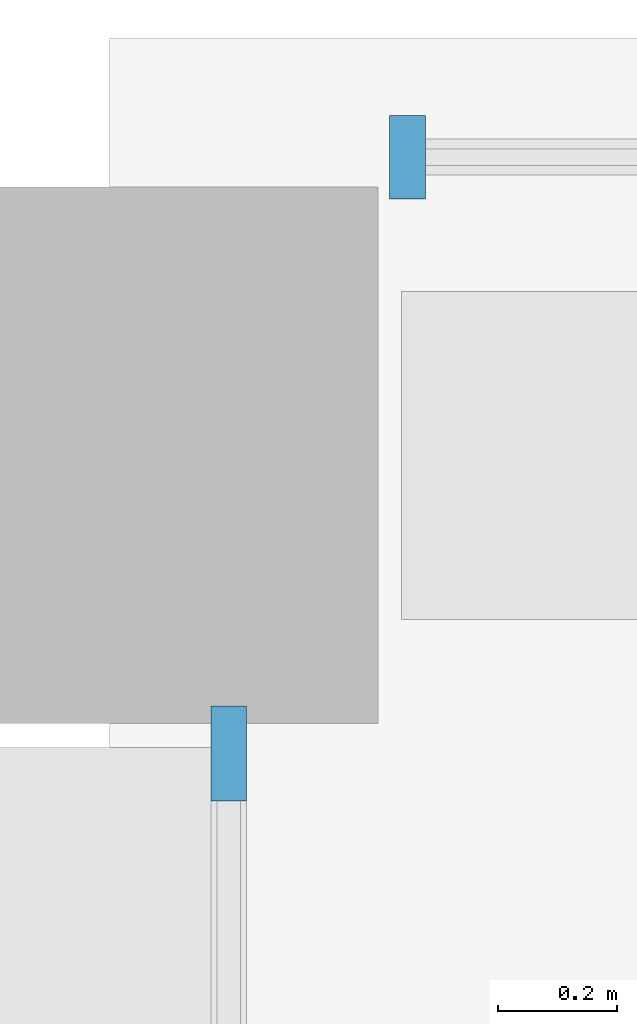
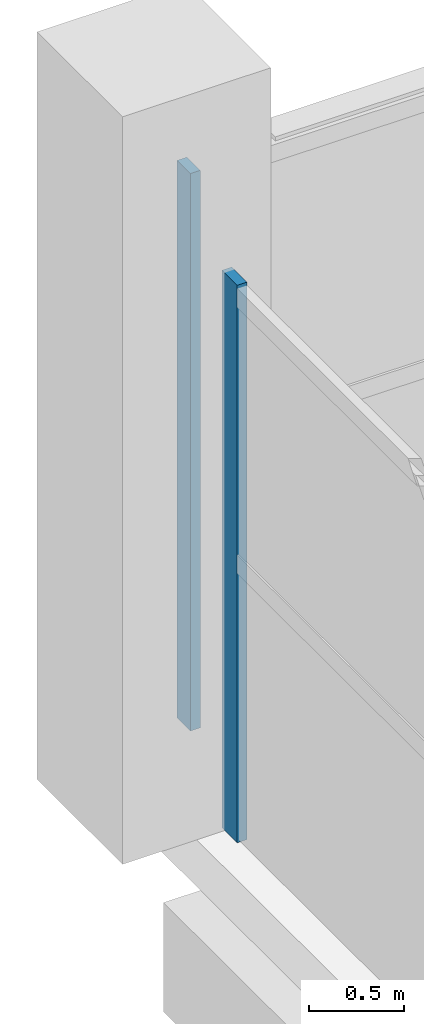
# One storey, part 37 of 100: 2 members, 2 elements without a shape of their own.
"""IFC4 building model written with IfcOpenShell, lengths in metres."""

from ifc_helpers import new_model, si_unit, direction, frame, origin, origin_2d, place, context, subcontext, project, spatial, rectangle, extrude, material, material_profile, profile_set, type_object, element, aggregate, save


model = new_model("IFC4")

# Units and contexts
model_context = context("Model", 3, precision=1e-05, world=origin(), true_north=direction((0.0, 1.0)))
body_context = subcontext(model_context, "Body", "Model", "MODEL_VIEW")
ifc_project = project(units=[si_unit("LENGTHUNIT", "METRE"), si_unit("AREAUNIT", "SQUARE_METRE"), si_unit("VOLUMEUNIT", "CUBIC_METRE"), si_unit("PLANEANGLEUNIT", "RADIAN"), si_unit("MASSUNIT", "GRAM", prefix="KILO"), si_unit("THERMODYNAMICTEMPERATUREUNIT", "KELVIN"), si_unit("POWERUNIT", "WATT")], contexts=[model_context])

# Site, building, storey
site_placement = place(None, origin())
site = spatial("IfcSite", under=ifc_project, at=site_placement, CompositionType="ELEMENT")
building_placement = place(site_placement, origin())
building = spatial("IfcBuilding", under=site, at=building_placement, Name="Sindhuravela Promenade Stadium", CompositionType="ELEMENT")
storey_placement = place(building_placement, frame((0.0, 0.0, 4.800048828125)))
storey = spatial("IfcBuildingStorey", under=building, at=storey_placement, Name="L01", CompositionType="ELEMENT", Elevation=4.800048828125)

# Curtain wall, member
ifc_material = material(Name="Anodised architectural aluminium 6063-T6", Category="aluminium")
curtain_wall_type_1 = type_object("IfcCurtainWallType", Name="CW-MOD-4", PredefinedType="NOTDEFINED", material=ifc_material)
curtain_wall_1_placement = place(storey_placement, origin())
curtain_wall_1 = element("IfcCurtainWall", 1, at=curtain_wall_1_placement, inside=storey, type_object=curtain_wall_type_1, Name="Bronze curtain wall CW-NORTH-L01-147", PredefinedType="NOTDEFINED")
ifc_material_profile_1 = material_profile(ifc_material, rectangle(XDim=0.06005859375, YDim=0.159912109375, at=origin_2d()), Name="ALU M60x160")
ifc_profile_set_1 = profile_set([ifc_material_profile_1], Name="Anodised architectural aluminium 6063-T6")
member_type_1 = type_object("IfcMemberType", Name="CW-MUL-4", PredefinedType="MULLION", material=ifc_profile_set_1)
member_1_placement = place(storey_placement, frame((126.199951171875, 160.800048828125, 0.0), z_axis=(0.0, 0.0, 1.0), x_axis=(1.0, 0.0, 0.0)))
member_1 = element("IfcMember", 2, at=member_1_placement, type_object=member_type_1, Name="Curtain wall mullion CW-NORTH-L01-147-M3", PredefinedType="MULLION", context=body_context, shape_type="SweptSolid", body=[
    extrude(rectangle(XDim=0.06005859375, YDim=0.159912109375, at=origin_2d()), origin(), (0.0, 0.0, 1.0), 3.579833984375),
])
aggregate(curtain_wall_1, [member_1])

curtain_wall_type_2 = type_object("IfcCurtainWallType", Name="CW-MOD-5", PredefinedType="NOTDEFINED", material=ifc_material)
curtain_wall_2_placement = place(storey_placement, origin())
curtain_wall_2 = element("IfcCurtainWall", 3, at=curtain_wall_2_placement, inside=storey, type_object=curtain_wall_type_2, Name="Bronze curtain wall CW-NORTH-L01-148", PredefinedType="NOTDEFINED")
ifc_material_profile_2 = material_profile(ifc_material, rectangle(XDim=0.06005859375, YDim=0.139892578125, at=origin_2d()), Name="ALU M60x140")
ifc_profile_set_2 = profile_set([ifc_material_profile_2], Name="Anodised architectural aluminium 6063-T6")
member_type_2 = type_object("IfcMemberType", Name="CW-MUL-5", PredefinedType="MULLION", material=ifc_profile_set_2)
member_2_placement = place(storey_placement, frame((126.5, 161.800048828125, 0.0), z_axis=(0.0, 0.0, 1.0), x_axis=(1.0, 0.0, 0.0)))
member_2 = element("IfcMember", 4, at=member_2_placement, type_object=member_type_2, Name="Curtain wall mullion CW-NORTH-L01-148-M1", PredefinedType="MULLION", context=body_context, shape_type="SweptSolid", body=[
    extrude(rectangle(XDim=0.06005859375, YDim=0.139892578125, at=origin_2d()), origin(), (0.0, 0.0, 1.0), 3.579833984375),
])
aggregate(curtain_wall_2, [member_2])

save(model, "model.ifc")
